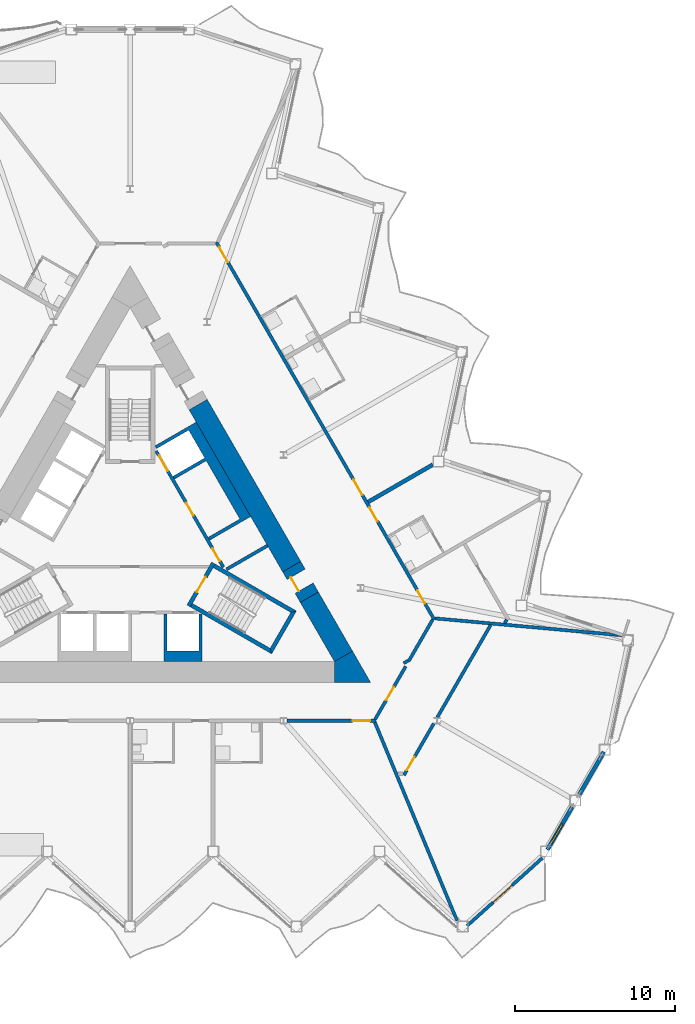
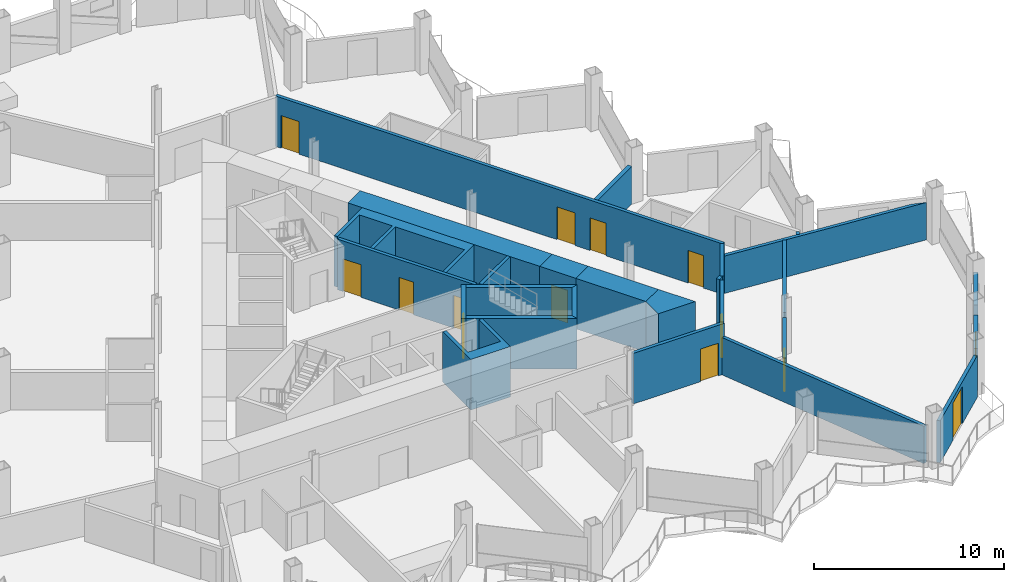
# One storey, part 13 of 23: 26 walls, 13 doors, 1 window, 14 openings.
"""IFC4 building model written with IfcOpenShell, lengths in metres."""

from ifc_helpers import new_model, si_unit, direction, frame, frame_2d, origin, place, context, subcontext, project, spatial, polyline, rectangle, outline, extrude, material, layer, layer_set, type_object, element, fill, save


model = new_model("IFC4")

# Units and contexts
model_context = context("Model", 3, precision=1e-05, world=origin(), true_north=direction((0.0, 1.0)))
body_context = subcontext(model_context, "Body", "Model", "MODEL_VIEW")
ifc_project = project(units=[si_unit("LENGTHUNIT", "METRE"), si_unit("AREAUNIT", "SQUARE_METRE"), si_unit("VOLUMEUNIT", "CUBIC_METRE"), si_unit("PLANEANGLEUNIT", "RADIAN"), si_unit("MASSUNIT", "GRAM", prefix="KILO")], contexts=[model_context])

# Site, building, storey
site_placement = place(None, origin())
site = spatial("IfcSite", under=ifc_project, at=site_placement, CompositionType="ELEMENT")
building_placement = place(site_placement, origin())
building = spatial("IfcBuilding", under=site, at=building_placement, Name="Cormorant Prow Tower", CompositionType="ELEMENT")
storey_placement = place(building_placement, frame((0.0, 0.0, 259.800048828125)))
storey = spatial("IfcBuildingStorey", under=building, at=storey_placement, Name="L58", CompositionType="ELEMENT", Elevation=259.800048828125)

# Walls
ifc_material_1 = material(Name="Concrete 8000 psi", Category="concrete")
ifc_layer_1 = layer(ifc_material_1, 1.300048828125)
ifc_layer_set_1 = layer_set([ifc_layer_1], Name="Concrete 8000 psi")
wall_type_1 = type_object("IfcWallType", Name="Core shear wall 1300", PredefinedType="SHEAR", material=ifc_layer_set_1)
wall_1_placement = place(storey_placement, frame((10.081298828125, -1.440673828125, 0.0), z_axis=(0.0, 0.0, 1.0), x_axis=(-0.500006109471, 0.866021876451, 0.0)))
element("IfcWall", 1, at=wall_1_placement, inside=storey, type_object=wall_type_1, Name="Core wall", PredefinedType="SHEAR", context=body_context, shape_type="SweptSolid", body=[
    extrude(rectangle(XDim=11.672119140625, YDim=1.300048828125, at=frame_2d((5.8359375, 0.0))), origin(), (0.0, 0.0, 1.0), 3.25),
])
wall_2_placement = place(storey_placement, frame((13.311279296875, -7.035400390625, 0.0), z_axis=(0.0, 0.0, 1.0), x_axis=(-0.500003555838, 0.866023350811, 0.0)))
element("IfcWall", 2, at=wall_2_placement, inside=storey, type_object=wall_type_1, Name="Core wall", PredefinedType="SHEAR", context=body_context, shape_type="SweptSolid", body=[
    extrude(rectangle(XDim=4.26025390625, YDim=1.300048828125, at=frame_2d((2.130126953125, 0.0))), origin(), (0.0, 0.0, 1.0), 3.25),
])
wall_3_placement = place(storey_placement, origin())
element("IfcWall", 3, at=wall_3_placement, inside=storey, type_object=wall_type_1, Name="Core wall corner", PredefinedType="SHEAR", context=body_context, shape_type="SweptSolid", body=[
    extrude(outline(polyline([(12.748291015625, -8.660400390625), (12.748291015625, -7.3603515625), (13.874267578125, -6.710205078125), (15.0, -8.660400390625), (12.748291015625, -8.660400390625)])), origin(), (0.0, 0.0, 1.0), 3.25),
])

# Wall, opening, door
wall_4_placement = place(storey_placement, frame((11.18115234375, -3.345947265625, 0.0), z_axis=(0.0, 0.0, 1.0), x_axis=(-0.499946605688, 0.86605622881, 0.0)))
wall_4 = element("IfcWall", 4, at=wall_4_placement, inside=storey, type_object=wall_type_1, Name="Core wall door panel", PredefinedType="SHEAR", context=body_context, shape_type="SweptSolid", body=[
    extrude(rectangle(XDim=2.199951171875, YDim=1.300048828125, at=frame_2d((1.10009765625, 0.0))), origin(), (0.0, 0.0, 1.0), 3.25),
])
opening_1_placement = place(wall_4_placement, frame((0.64990234375, 0.0, 0.0)))
opening_1 = element("IfcOpeningElement", 5, at=opening_1_placement, cuts=wall_4, Name="Opening L58-C15", PredefinedType="OPENING", context=body_context, shape_type="SweptSolid", body=[
    extrude(rectangle(XDim=1.0, YDim=2.10009765625, at=frame_2d((0.5, 1.050048828125))), frame((0.0, 0.659912109375, 0.0), z_axis=(0.0, -1.0, 0.0), x_axis=(1.0, 0.0, 0.0)), (0.0, 0.0, 1.0), 1.320068359375),
])
ifc_material_2 = material(Name="Painted steel", Category="steel")
door_type_1 = type_object("IfcDoorType", Name="Service door 1000x2100", OperationType="NOTDEFINED", PredefinedType="DOOR", material=ifc_material_2)
door_1_placement = place(opening_1_placement, origin())
door_1 = element("IfcDoor", 6, at=door_1_placement, inside=storey, type_object=door_type_1, Name="Core door, Telecom room", OperationType="SINGLE_SWING_LEFT", OverallHeight=2.10009765625, OverallWidth=1.0, PredefinedType="DOOR", context=body_context, shape_type="SweptSolid", body=[
    extrude(rectangle(XDim=1.0, YDim=2.10009765625, at=frame_2d((0.5, 1.050048828125))), frame((0.0, 0.40478515625, 0.0), z_axis=(0.0, -1.0, 0.0), x_axis=(1.0, 0.0, 0.0)), (0.0, 0.0, 1.0), 0.050048828125),
])
fill(opening_1, door_1)

# Wall, openings, doors
ifc_material_3 = material(Name="Gypsum board corridor wall")
ifc_layer_2 = layer(ifc_material_3, 0.199951171875)
ifc_layer_set_2 = layer_set([ifc_layer_2], Name="Gypsum board corridor wall")
wall_type_2 = type_object("IfcWallType", Name="Corridor wall 200", PredefinedType="PARTITIONING", material=ifc_layer_set_2)
wall_5_placement = place(storey_placement, frame((5.377197265625, 18.80712890625, 0.0), z_axis=(0.0, 0.0, 1.0), x_axis=(0.499999852422, -0.866025488988, 0.0)))
wall_5 = element("IfcWall", 7, at=wall_5_placement, inside=storey, type_object=wall_type_2, Name="Corridor wall", PredefinedType="PARTITIONING", context=body_context, shape_type="SweptSolid", body=[
    extrude(rectangle(XDim=27.19775390625, YDim=0.199951171875, at=frame_2d((13.598876953125, 0.0))), origin(), (0.0, 0.0, 1.0), 3.25),
])
opening_2_placement = place(wall_5_placement, frame((25.09619140625, 0.0, 0.0)))
opening_2 = element("IfcOpeningElement", 8, at=opening_2_placement, cuts=wall_5, Name="Opening L58-F10", PredefinedType="OPENING", context=body_context, shape_type="SweptSolid", body=[
    extrude(rectangle(XDim=0.949951171875, YDim=2.10009765625, at=frame_2d((0.47509765625, 1.050048828125))), frame((0.0, 0.10986328125, 0.0), z_axis=(0.0, -1.0, 0.0), x_axis=(1.0, 0.0, 0.0)), (0.0, 0.0, 1.0), 0.219970703125),
])
opening_3_placement = place(wall_5_placement, frame((19.121826171875, 0.0, 0.0)))
opening_3 = element("IfcOpeningElement", 9, at=opening_3_placement, cuts=wall_5, Name="Opening L58-F12", PredefinedType="OPENING", context=body_context, shape_type="SweptSolid", body=[
    extrude(rectangle(XDim=1.0, YDim=2.10009765625, at=frame_2d((0.5, 1.050048828125))), frame((0.0, 0.10986328125, 0.0), z_axis=(0.0, -1.0, 0.0), x_axis=(1.0, 0.0, 0.0)), (0.0, 0.0, 1.0), 0.219970703125),
])
opening_4_placement = place(wall_5_placement, frame((17.114501953125, 0.0, 0.0)))
opening_4 = element("IfcOpeningElement", 10, at=opening_4_placement, cuts=wall_5, Name="Opening L58-F14", PredefinedType="OPENING", context=body_context, shape_type="SweptSolid", body=[
    extrude(rectangle(XDim=1.10009765625, YDim=2.10009765625, at=frame_2d((0.550048828125, 1.050048828125))), frame((0.0, 0.10986328125, 0.0), z_axis=(0.0, -1.0, 0.0), x_axis=(1.0, 0.0, 0.0)), (0.0, 0.0, 1.0), 0.219970703125),
])
opening_5_placement = place(wall_5_placement, frame((0.350341796875, 0.0, 0.0)))
opening_5 = element("IfcOpeningElement", 11, at=opening_5_placement, cuts=wall_5, Name="Opening L58-F16", PredefinedType="OPENING", context=body_context, shape_type="SweptSolid", body=[
    extrude(rectangle(XDim=1.10009765625, YDim=2.10009765625, at=frame_2d((0.550048828125, 1.050048828125))), frame((0.0, 0.10986328125, 0.0), z_axis=(0.0, -1.0, 0.0), x_axis=(1.0, 0.0, 0.0)), (0.0, 0.0, 1.0), 0.219970703125),
])
ifc_material_4 = material(Name="Timber door leaf", Category="wood")
door_type_2 = type_object("IfcDoorType", Name="Flat or room entrance door 1000x2100", OperationType="NOTDEFINED", PredefinedType="DOOR", material=ifc_material_4)
door_2_placement = place(opening_3_placement, origin())
door_2 = element("IfcDoor", 12, at=door_2_placement, inside=storey, type_object=door_type_2, Name="Guest room door", OperationType="SINGLE_SWING_LEFT", OverallHeight=2.10009765625, OverallWidth=1.0, PredefinedType="DOOR", context=body_context, shape_type="SweptSolid", body=[
    extrude(rectangle(XDim=1.0, YDim=2.10009765625, at=frame_2d((0.5, 1.050048828125))), frame((0.0, 0.02490234375, 0.0), z_axis=(0.0, -1.0, 0.0), x_axis=(1.0, 0.0, 0.0)), (0.0, 0.0, 1.0), 0.050048828125),
])
fill(opening_3, door_2)
ifc_material_5 = material(Name="Timber door leaf", Category="wood")
door_type_3 = type_object("IfcDoorType", Name="Store door 950x2100", OperationType="NOTDEFINED", PredefinedType="DOOR", material=ifc_material_5)
door_3_placement = place(opening_2_placement, origin())
door_3 = element("IfcDoor", 13, at=door_3_placement, inside=storey, type_object=door_type_3, Name="Service store door", OperationType="SINGLE_SWING_LEFT", OverallHeight=2.10009765625, OverallWidth=0.949951171875, PredefinedType="DOOR", context=body_context, shape_type="SweptSolid", body=[
    extrude(rectangle(XDim=0.949951171875, YDim=2.10009765625, at=frame_2d((0.47509765625, 1.050048828125))), frame((0.0, 0.02490234375, 0.0), z_axis=(0.0, -1.0, 0.0), x_axis=(1.0, 0.0, 0.0)), (0.0, 0.0, 1.0), 0.050048828125),
])
fill(opening_2, door_3)
ifc_material_6 = material(Name="Timber door leaf", Category="wood")
door_type_4 = type_object("IfcDoorType", Name="Suite entrance door 1100x2100", OperationType="NOTDEFINED", PredefinedType="DOOR", material=ifc_material_6)
door_4_placement = place(opening_4_placement, origin())
door_4 = element("IfcDoor", 14, at=door_4_placement, inside=storey, type_object=door_type_4, Name="Junior suite door", OperationType="SINGLE_SWING_RIGHT", OverallHeight=2.10009765625, OverallWidth=1.10009765625, PredefinedType="DOOR", context=body_context, shape_type="SweptSolid", body=[
    extrude(rectangle(XDim=1.10009765625, YDim=2.10009765625, at=frame_2d((0.550048828125, 1.050048828125))), frame((0.0, 0.02490234375, 0.0), z_axis=(0.0, -1.0, 0.0), x_axis=(1.0, 0.0, 0.0)), (0.0, 0.0, 1.0), 0.050048828125),
])
fill(opening_4, door_4)
door_5_placement = place(opening_5_placement, origin())
door_5 = element("IfcDoor", 15, at=door_5_placement, inside=storey, type_object=door_type_4, Name="Executive suite bedroom door", OperationType="SINGLE_SWING_LEFT", OverallHeight=2.10009765625, OverallWidth=1.10009765625, PredefinedType="DOOR", context=body_context, shape_type="SweptSolid", body=[
    extrude(rectangle(XDim=1.10009765625, YDim=2.10009765625, at=frame_2d((0.550048828125, 1.050048828125))), frame((0.0, 0.02490234375, 0.0), z_axis=(0.0, -1.0, 0.0), x_axis=(1.0, 0.0, 0.0)), (0.0, 0.0, 1.0), 0.050048828125),
])
fill(opening_5, door_5)

# Wall, opening, door
wall_6_placement = place(storey_placement, frame((9.7880859375, -11.060302734375, 0.0), z_axis=(0.0, 0.0, 1.0), x_axis=(1.0, 0.0, 0.0)))
wall_6 = element("IfcWall", 16, at=wall_6_placement, inside=storey, type_object=wall_type_2, Name="Corridor wall", PredefinedType="PARTITIONING", context=body_context, shape_type="SweptSolid", body=[
    extrude(rectangle(XDim=5.542724609375, YDim=0.199951171875, at=frame_2d((2.771484375, 0.0))), origin(), (0.0, 0.0, 1.0), 3.25),
])
opening_6_placement = place(wall_6_placement, frame((4.091796875, 0.0, 0.0)))
opening_6 = element("IfcOpeningElement", 17, at=opening_6_placement, cuts=wall_6, Name="Opening L58-F06", PredefinedType="OPENING", context=body_context, shape_type="SweptSolid", body=[
    extrude(rectangle(XDim=1.10009765625, YDim=2.10009765625, at=frame_2d((0.550048828125, 1.050048828125))), frame((0.0, 0.10986328125, 0.0), z_axis=(0.0, -1.0, 0.0), x_axis=(1.0, 0.0, 0.0)), (0.0, 0.0, 1.0), 0.219970703125),
])
door_6_placement = place(opening_6_placement, origin())
door_6 = element("IfcDoor", 18, at=door_6_placement, inside=storey, type_object=door_type_4, Name="Executive suite bedroom door", OperationType="SINGLE_SWING_RIGHT", OverallHeight=2.10009765625, OverallWidth=1.10009765625, PredefinedType="DOOR", context=body_context, shape_type="SweptSolid", body=[
    extrude(rectangle(XDim=1.10009765625, YDim=2.10009765625, at=frame_2d((0.550048828125, 1.050048828125))), frame((0.0, 0.02490234375, 0.0), z_axis=(0.0, -1.0, 0.0), x_axis=(1.0, 0.0, 0.0)), (0.0, 0.0, 1.0), 0.050048828125),
])
fill(opening_6, door_6)

wall_7_placement = place(storey_placement, frame((15.281005859375, -10.9736328125, 0.0), z_axis=(0.0, 0.0, 1.0), x_axis=(0.499989446428, 0.866031496806, 0.0)))
wall_7 = element("IfcWall", 19, at=wall_7_placement, inside=storey, type_object=wall_type_2, Name="Corridor wall", PredefinedType="PARTITIONING", context=body_context, shape_type="SweptSolid", body=[
    extrude(rectangle(XDim=3.82568359375, YDim=0.199951171875, at=frame_2d((1.912841796875, 0.0))), origin(), (0.0, 0.0, 1.0), 3.25),
])
opening_7_placement = place(wall_7_placement, frame((1.38623046875, 0.0, 0.0)))
opening_7 = element("IfcOpeningElement", 20, at=opening_7_placement, cuts=wall_7, Name="Opening L58-F08", PredefinedType="OPENING", context=body_context, shape_type="SweptSolid", body=[
    extrude(rectangle(XDim=0.949951171875, YDim=2.10009765625, at=frame_2d((0.47509765625, 1.050048828125))), frame((0.0, 0.10986328125, 0.0), z_axis=(0.0, -1.0, 0.0), x_axis=(1.0, 0.0, 0.0)), (0.0, 0.0, 1.0), 0.219970703125),
])
door_7_placement = place(opening_7_placement, origin())
door_7 = element("IfcDoor", 21, at=door_7_placement, inside=storey, type_object=door_type_3, Name="Housekeeping room door", OperationType="SINGLE_SWING_RIGHT", OverallHeight=2.10009765625, OverallWidth=0.949951171875, PredefinedType="DOOR", context=body_context, shape_type="SweptSolid", body=[
    extrude(rectangle(XDim=0.949951171875, YDim=2.10009765625, at=frame_2d((0.47509765625, 1.050048828125))), frame((0.0, 0.02490234375, 0.0), z_axis=(0.0, -1.0, 0.0), x_axis=(1.0, 0.0, 0.0)), (0.0, 0.0, 1.0), 0.050048828125),
])
fill(opening_7, door_7)

# Walls
wall_8_placement = place(storey_placement, frame((17.375, -7.346923828125, 0.0), z_axis=(0.0, 0.0, 1.0), x_axis=(0.499952404951, 0.866052881055, 0.0)))
element("IfcWall", 22, at=wall_8_placement, inside=storey, type_object=wall_type_2, Name="Corridor wall", PredefinedType="PARTITIONING", context=body_context, shape_type="SweptSolid", body=[
    extrude(rectangle(XDim=3.002197265625, YDim=0.199951171875, at=frame_2d((1.5009765625, 0.0))), origin(), (0.0, 0.0, 1.0), 3.25),
])
wall_9_placement = place(storey_placement, frame((17.06982421875, -7.46533203125, 0.0), z_axis=(0.0, 0.0, 1.0), x_axis=(0.866054481515, 0.499949632511, 0.0)))
element("IfcWall", 23, at=wall_9_placement, inside=storey, type_object=wall_type_2, Name="Corridor wall", PredefinedType="PARTITIONING", context=body_context, shape_type="SweptSolid", body=[
    extrude(rectangle(XDim=0.31005859375, YDim=0.199951171875, at=frame_2d((0.155029296875, 0.0))), origin(), (0.0, 0.0, 1.0), 3.25),
])
ifc_material_7 = material(Name="Gypsum board demising wall")
ifc_layer_3 = layer(ifc_material_7, 0.199951171875)
ifc_layer_set_3 = layer_set([ifc_layer_3], Name="Gypsum board demising wall")
wall_type_3 = type_object("IfcWallType", Name="Demising wall 200", PredefinedType="PARTITIONING", material=ifc_layer_set_3)
wall_10_placement = place(storey_placement, frame((15.26904296875, -11.152587890625, 0.0), z_axis=(0.0, 0.0, 1.0), x_axis=(0.382692998932, -0.923875569851, 0.0)))
element("IfcWall", 24, at=wall_10_placement, inside=storey, type_object=wall_type_3, Name="Demising wall", PredefinedType="PARTITIONING", context=body_context, shape_type="SweptSolid", body=[
    extrude(rectangle(XDim=13.39697265625, YDim=0.199951171875, at=frame_2d((6.698486328125, 0.0))), origin(), (0.0, 0.0, 1.0), 2.404052734375),
])
wall_11_placement = place(storey_placement, origin())
element("IfcWall", 25, at=wall_11_placement, inside=storey, type_object=wall_type_3, Name="Demising wall", PredefinedType="PARTITIONING", context=body_context, shape_type="SweptSolid", body=[
    extrude(outline(polyline([(30.694091796875, -5.824462890625), (19.0166015625, -4.768798828125), (19.034423828125, -4.569580078125), (29.918212890625, -5.553466796875), (30.69580078125, -5.80615234375), (30.694091796875, -5.824462890625)])), origin(), (0.0, 0.0, 1.0), 2.404052734375),
])
wall_12_placement = place(storey_placement, frame((19.162353515625, -10.850830078125, 0.0), z_axis=(0.0, 0.0, 1.0), x_axis=(0.500008654708, 0.866020406929, 0.0)))
element("IfcWall", 26, at=wall_12_placement, inside=storey, type_object=wall_type_3, Name="Demising wall", PredefinedType="PARTITIONING", context=body_context, shape_type="SweptSolid", body=[
    extrude(rectangle(XDim=6.67041015625, YDim=0.199951171875, at=frame_2d((3.335205078125, 0.0))), origin(), (0.0, 0.0, 1.0), 2.404052734375),
])

# Wall, opening, door
wall_13_placement = place(storey_placement, frame((17.086181640625, -14.447021484375, 0.0), z_axis=(0.0, 0.0, 1.0), x_axis=(0.500004411858, 0.866022856582, 0.0)))
wall_13 = element("IfcWall", 27, at=wall_13_placement, inside=storey, type_object=wall_type_3, Name="Demising wall", PredefinedType="PARTITIONING", context=body_context, shape_type="SweptSolid", body=[
    extrude(rectangle(XDim=3.72265625, YDim=0.199951171875, at=frame_2d((1.861328125, 0.0))), origin(), (0.0, 0.0, 1.0), 2.404052734375),
])
opening_8_placement = place(wall_13_placement, frame((0.353271484375, 0.0, 0.0)))
opening_8 = element("IfcOpeningElement", 28, at=opening_8_placement, cuts=wall_13, Name="Opening L58-F09", PredefinedType="OPENING", context=body_context, shape_type="SweptSolid", body=[
    extrude(rectangle(XDim=0.949951171875, YDim=2.10009765625, at=frame_2d((0.47509765625, 1.050048828125))), frame((0.0, 0.10986328125, 0.0), z_axis=(0.0, -1.0, 0.0), x_axis=(1.0, 0.0, 0.0)), (0.0, 0.0, 1.0), 0.219970703125),
])
door_8_placement = place(opening_8_placement, origin())
door_8 = element("IfcDoor", 29, at=door_8_placement, inside=storey, type_object=door_type_3, Name="Linen store door", OperationType="SINGLE_SWING_LEFT", OverallHeight=2.10009765625, OverallWidth=0.949951171875, PredefinedType="DOOR", context=body_context, shape_type="SweptSolid", body=[
    extrude(rectangle(XDim=0.949951171875, YDim=2.10009765625, at=frame_2d((0.47509765625, 1.050048828125))), frame((0.0, 0.02490234375, 0.0), z_axis=(0.0, -1.0, 0.0), x_axis=(1.0, 0.0, 0.0)), (0.0, 0.0, 1.0), 0.050048828125),
])
fill(opening_8, door_8)

# Wall
wall_14_placement = place(storey_placement, frame((23.36572265625, -4.970458984375, 0.0), z_axis=(0.0, 0.0, 1.0), x_axis=(0.500104332946, 0.86596515875, 0.0)))
element("IfcWall", 30, at=wall_14_placement, inside=storey, type_object=wall_type_3, Name="Demising wall", PredefinedType="PARTITIONING", context=body_context, shape_type="SweptSolid", body=[
    extrude(rectangle(XDim=0.25830078125, YDim=0.199951171875, at=frame_2d((0.129150390625, 0.0))), origin(), (0.0, 0.0, 1.0), 2.404052734375),
])

# Wall, openings, doors
ifc_material_8 = material(Name="Concrete 5000 psi", Category="concrete")
ifc_layer_4 = layer(ifc_material_8, 0.199951171875)
ifc_layer_set_4 = layer_set([ifc_layer_4], Name="Concrete 5000 psi")
wall_type_4 = type_object("IfcWallType", Name="Lift lobby wall 200", PredefinedType="SOLIDWALL", material=ifc_layer_set_4)
wall_15_placement = place(storey_placement, frame((5.817138671875, -1.4755859375, 0.0), z_axis=(0.0, 0.0, 1.0), x_axis=(-0.500002616675, 0.866023893041, 0.0)))
wall_15 = element("IfcWall", 31, at=wall_15_placement, inside=storey, type_object=wall_type_4, Name="Lift lobby wall, ENE block", PredefinedType="SOLIDWALL", context=body_context, shape_type="SweptSolid", body=[
    extrude(rectangle(XDim=8.373046875, YDim=0.199951171875, at=frame_2d((4.1865234375, 0.0))), origin(), (0.0, 0.0, 1.0), 3.25),
])
opening_9_placement = place(wall_15_placement, frame((0.4365234375, 0.0, 0.0)))
opening_9 = element("IfcOpeningElement", 32, at=opening_9_placement, cuts=wall_15, Name="Opening L58-C05", PredefinedType="OPENING", context=body_context, shape_type="SweptSolid", body=[
    extrude(rectangle(XDim=0.89990234375, YDim=2.10009765625, at=frame_2d((0.449951171875, 1.050048828125))), frame((0.0, 0.10986328125, 0.0), z_axis=(0.0, -1.0, 0.0), x_axis=(1.0, 0.0, 0.0)), (0.0, 0.0, 1.0), 0.219970703125),
])
opening_10_placement = place(wall_15_placement, frame((3.736572265625, 0.0, 0.0)))
opening_10 = element("IfcOpeningElement", 33, at=opening_10_placement, cuts=wall_15, Name="Opening L58-C06", PredefinedType="OPENING", context=body_context, shape_type="SweptSolid", body=[
    extrude(rectangle(XDim=0.89990234375, YDim=2.10009765625, at=frame_2d((0.449951171875, 1.050048828125))), frame((0.0, 0.10986328125, 0.0), z_axis=(0.0, -1.0, 0.0), x_axis=(1.0, 0.0, 0.0)), (0.0, 0.0, 1.0), 0.219970703125),
])
opening_11_placement = place(wall_15_placement, frame((6.9365234375, 0.0, 0.0)))
opening_11 = element("IfcOpeningElement", 34, at=opening_11_placement, cuts=wall_15, Name="Opening L58-C07", PredefinedType="OPENING", context=body_context, shape_type="SweptSolid", body=[
    extrude(rectangle(XDim=1.10009765625, YDim=2.10009765625, at=frame_2d((0.550048828125, 1.050048828125))), frame((0.0, 0.10986328125, 0.0), z_axis=(0.0, -1.0, 0.0), x_axis=(1.0, 0.0, 0.0)), (0.0, 0.0, 1.0), 0.219970703125),
])
ifc_material_9 = material(Name="Painted steel", Category="steel")
door_type_5 = type_object("IfcDoorType", Name="Lift landing door 1100x2100", OperationType="SLIDING_TO_LEFT", PredefinedType="DOOR", material=ifc_material_9)
door_9_placement = place(opening_11_placement, origin())
door_9 = element("IfcDoor", 35, at=door_9_placement, inside=storey, type_object=door_type_5, Name="Landing door MR1", OperationType="SLIDING_TO_LEFT", OverallHeight=2.10009765625, OverallWidth=1.10009765625, PredefinedType="DOOR", context=body_context, shape_type="SweptSolid", body=[
    extrude(rectangle(XDim=1.10009765625, YDim=2.10009765625, at=frame_2d((0.550048828125, 1.050048828125))), frame((0.0, 0.02490234375, 0.0), z_axis=(0.0, -1.0, 0.0), x_axis=(1.0, 0.0, 0.0)), (0.0, 0.0, 1.0), 0.050048828125),
])
fill(opening_11, door_9)
ifc_material_10 = material(Name="Painted steel", Category="steel")
door_type_6 = type_object("IfcDoorType", Name="Service door 900x2100", OperationType="NOTDEFINED", PredefinedType="DOOR", material=ifc_material_10)
door_10_placement = place(opening_9_placement, origin())
door_10 = element("IfcDoor", 36, at=door_10_placement, inside=storey, type_object=door_type_6, Name="Service door, Pantry store", OperationType="SINGLE_SWING_LEFT", OverallHeight=2.10009765625, OverallWidth=0.89990234375, PredefinedType="DOOR", context=body_context, shape_type="SweptSolid", body=[
    extrude(rectangle(XDim=0.89990234375, YDim=2.10009765625, at=frame_2d((0.449951171875, 1.050048828125))), frame((0.0, 0.02490234375, 0.0), z_axis=(0.0, -1.0, 0.0), x_axis=(1.0, 0.0, 0.0)), (0.0, 0.0, 1.0), 0.050048828125),
])
fill(opening_9, door_10)
door_11_placement = place(opening_10_placement, origin())
door_11 = element("IfcDoor", 37, at=door_11_placement, inside=storey, type_object=door_type_6, Name="Service door, Telecom room", OperationType="SINGLE_SWING_LEFT", OverallHeight=2.10009765625, OverallWidth=0.89990234375, PredefinedType="DOOR", context=body_context, shape_type="SweptSolid", body=[
    extrude(rectangle(XDim=0.89990234375, YDim=2.10009765625, at=frame_2d((0.449951171875, 1.050048828125))), frame((0.0, 0.02490234375, 0.0), z_axis=(0.0, -1.0, 0.0), x_axis=(1.0, 0.0, 0.0)), (0.0, 0.0, 1.0), 0.050048828125),
])
fill(opening_10, door_11)

# Walls
ifc_material_11 = material(Name="Concrete 8000 psi", Category="concrete")
ifc_layer_5 = layer(ifc_material_11, 0.199951171875)
ifc_layer_set_5 = layer_set([ifc_layer_5], Name="Concrete 8000 psi")
wall_type_5 = type_object("IfcWallType", Name="Lift shaft wall 200", PredefinedType="SHEAR", material=ifc_layer_set_5)
wall_16_placement = place(storey_placement, origin())
element("IfcWall", 38, at=wall_16_placement, inside=storey, type_object=wall_type_5, Name="Lift shaft walls, S block", PredefinedType="SHEAR", context=body_context, shape_type="SweptSolid", body=[
    extrude(outline(polyline([(2.10009765625, -7.3603515625), (2.10009765625, -4.39990234375), (2.300048828125, -4.39990234375), (2.300048828125, -6.699951171875), (4.300048828125, -6.699951171875), (4.300048828125, -4.39990234375), (4.5, -4.39990234375), (4.5, -7.3603515625), (2.10009765625, -7.3603515625)])), origin(), (0.0, 0.0, 1.0), 3.25),
])
wall_17_placement = place(storey_placement, origin())
element("IfcWall", 39, at=wall_17_placement, inside=storey, type_object=wall_type_5, Name="Lift shaft walls, ENE block", PredefinedType="SHEAR", context=body_context, shape_type="SweptSolid", body=[
    extrude(outline(polyline([(8.524169921875, -0.043701171875), (8.624267578125, -0.217041015625), (8.230712890625, -0.444091796875), (6.060546875, -1.697021484375), (5.96044921875, -1.52392578125), (8.130859375, -0.27099609375), (8.524169921875, -0.043701171875)])), origin(), (0.0, 0.0, 1.0), 3.25),
])
wall_18_placement = place(storey_placement, origin())
element("IfcWall", 40, at=wall_18_placement, inside=storey, type_object=wall_type_5, Name="Lift shaft walls, ENE block", PredefinedType="SHEAR", context=body_context, shape_type="SweptSolid", body=[
    extrude(outline(polyline([(7.524169921875, 1.688232421875), (7.130859375, 1.461181640625), (4.96044921875, 0.2080078125), (4.860595703125, 0.38134765625), (6.852294921875, 1.53125), (4.75244140625, 5.168701171875), (2.760498046875, 4.018798828125), (2.660400390625, 4.19189453125), (4.65234375, 5.341796875), (3.65234375, 7.073974609375), (1.660400390625, 5.923828125), (1.560546875, 6.09716796875), (3.730712890625, 7.35009765625), (4.124267578125, 7.5771484375), (7.524169921875, 1.688232421875)])), origin(), (0.0, 0.0, 1.0), 3.25),
])
ifc_material_12 = material(Name="Concrete 8000 psi", Category="concrete")
ifc_layer_6 = layer(ifc_material_12, 0.25)
ifc_layer_set_6 = layer_set([ifc_layer_6], Name="Concrete 8000 psi")
wall_type_6 = type_object("IfcWallType", Name="Stair wall 250", PredefinedType="SHEAR", material=ifc_layer_set_6)
wall_19_placement = place(storey_placement, origin())
element("IfcWall", 41, at=wall_19_placement, inside=storey, type_object=wall_type_6, Name="Stair ST2 enclosure wall (flank)", PredefinedType="SHEAR", context=body_context, shape_type="SweptSolid", body=[
    extrude(outline(polyline([(3.76318359375, -3.95556640625), (8.82958984375, -6.880615234375), (8.738037109375, -6.5390625), (3.88818359375, -3.739013671875), (3.76318359375, -3.95556640625)])), origin(), (0.0, 0.0, 1.0), 3.25),
])
wall_20_placement = place(storey_placement, origin())
element("IfcWall", 42, at=wall_20_placement, inside=storey, type_object=wall_type_6, Name="Stair ST2 enclosure wall (end)", PredefinedType="SHEAR", context=body_context, shape_type="SweptSolid", body=[
    extrude(outline(polyline([(8.82958984375, -6.880615234375), (10.37353515625, -4.206298828125), (10.031982421875, -4.2978515625), (8.738037109375, -6.5390625), (8.82958984375, -6.880615234375)])), origin(), (0.0, 0.0, 1.0), 3.25),
])
wall_21_placement = place(storey_placement, origin())
element("IfcWall", 43, at=wall_21_placement, inside=storey, type_object=wall_type_6, Name="Stair ST2 enclosure wall (flank)", PredefinedType="SHEAR", context=body_context, shape_type="SweptSolid", body=[
    extrude(outline(polyline([(10.031982421875, -4.2978515625), (10.37353515625, -4.206298828125), (5.30712890625, -1.28125), (5.18212890625, -1.497802734375), (10.031982421875, -4.2978515625)])), origin(), (0.0, 0.0, 1.0), 3.25),
])

# Wall, opening, door
wall_22_placement = place(storey_placement, frame((3.655029296875, -3.89306640625, 0.0), z_axis=(0.0, 0.0, 1.0), x_axis=(0.499982516597, 0.866035497597, 0.0)))
wall_22 = element("IfcWall", 44, at=wall_22_placement, inside=storey, type_object=wall_type_6, Name="Stair ST2 door wall", PredefinedType="SHEAR", context=body_context, shape_type="SweptSolid", body=[
    extrude(rectangle(XDim=3.087890625, YDim=0.25, at=frame_2d((1.5439453125, 0.0))), origin(), (0.0, 0.0, 1.0), 3.25),
])
opening_12_placement = place(wall_22_placement, frame((0.993896484375, 0.0, 0.0)))
opening_12 = element("IfcOpeningElement", 45, at=opening_12_placement, cuts=wall_22, Name="Opening L58-C12", PredefinedType="OPENING", context=body_context, shape_type="SweptSolid", body=[
    extrude(rectangle(XDim=1.10009765625, YDim=2.10009765625, at=frame_2d((0.550048828125, 1.050048828125))), frame((0.0, 0.135009765625, 0.0), z_axis=(0.0, -1.0, 0.0), x_axis=(1.0, 0.0, 0.0)), (0.0, 0.0, 1.0), 0.27001953125),
])
ifc_material_13 = material(Name="Painted steel", Category="steel")
door_type_7 = type_object("IfcDoorType", Name="Stair door 1100x2100", OperationType="NOTDEFINED", PredefinedType="DOOR", material=ifc_material_13)
door_12_placement = place(opening_12_placement, origin())
door_12 = element("IfcDoor", 46, at=door_12_placement, inside=storey, type_object=door_type_7, Name="Stair ST2 door", OperationType="SINGLE_SWING_RIGHT", OverallHeight=2.10009765625, OverallWidth=1.10009765625, PredefinedType="DOOR", context=body_context, shape_type="SweptSolid", body=[
    extrude(rectangle(XDim=1.10009765625, YDim=2.10009765625, at=frame_2d((0.550048828125, 1.050048828125))), frame((0.0, 0.02490234375, 0.0), z_axis=(0.0, -1.0, 0.0), x_axis=(1.0, 0.0, 0.0)), (0.0, 0.0, 1.0), 0.050048828125),
])
fill(opening_12, door_12)

# Wall
ifc_material_14 = material(Name="Acoustic gypsum party wall")
ifc_layer_7 = layer(ifc_material_14, 0.25)
ifc_layer_set_7 = layer_set([ifc_layer_7], Name="Acoustic gypsum party wall")
wall_type_7 = type_object("IfcWallType", Name="Suite party wall 250", PredefinedType="PARTITIONING", material=ifc_layer_set_7)
wall_23_placement = place(storey_placement, frame((14.852783203125, 2.594482421875, 0.0), z_axis=(0.0, 0.0, 1.0), x_axis=(0.866021891294, 0.500006083763, 0.0)))
element("IfcWall", 47, at=wall_23_placement, inside=storey, type_object=wall_type_7, Name="Suite party wall", PredefinedType="PARTITIONING", context=body_context, shape_type="SweptSolid", body=[
    extrude(rectangle(XDim=4.64453125, YDim=0.25, at=frame_2d((2.322265625, 0.0))), origin(), (0.0, 0.0, 1.0), 2.404052734375),
])

# Wall, opening, window
ifc_material_15 = material(Name="Terracotta", Category="masonry")
ifc_layer_8 = layer(ifc_material_15, 0.25)
ifc_layer_set_8 = layer_set([ifc_layer_8], Name="Terracotta")
wall_type_8 = type_object("IfcWallType", Name="Terracotta bay wall 250", PredefinedType="SOLIDWALL", material=ifc_layer_set_8)
wall_24_placement = place(storey_placement, frame((26.039794921875, -19.09716796875, 0.0), z_axis=(0.0, 0.0, 1.0), x_axis=(0.499976998774, 0.866038683141, 0.0)))
wall_24 = element("IfcWall", 48, at=wall_24_placement, inside=storey, type_object=wall_type_8, Name="Terracotta bay wall ESE00", PredefinedType="SOLIDWALL", context=body_context, shape_type="SweptSolid", body=[
    extrude(rectangle(XDim=3.072021484375, YDim=0.25, at=frame_2d((1.5361328125, 0.0))), origin(), (0.0, 0.0, 1.0), 2.700927734375),
])
opening_13_placement = place(wall_24_placement, frame((0.449951171875, 0.0, 1.800048828125)))
opening_13 = element("IfcOpeningElement", 49, at=opening_13_placement, cuts=wall_24, Name="Opening WN4", PredefinedType="OPENING", context=body_context, shape_type="SweptSolid", body=[
    extrude(rectangle(XDim=1.39990234375, YDim=0.699951171875, at=frame_2d((0.699951171875, 0.35009765625))), frame((0.0, 0.135009765625, 0.0), z_axis=(0.0, -1.0, 0.0), x_axis=(1.0, 0.0, 0.0)), (0.0, 0.0, 1.0), 0.27001953125),
])
ifc_material_16 = material(Name="Aluminium 6063-T6", Category="aluminium")
window_type = type_object("IfcWindowType", Name="Corner bay window 1400x700", PartitioningType="SINGLE_PANEL", PredefinedType="WINDOW", material=ifc_material_16)
window_placement = place(opening_13_placement, origin())
window = element("IfcWindow", 50, at=window_placement, inside=storey, type_object=window_type, Name="Corner bay window ESE00", OverallHeight=0.699951171875, OverallWidth=1.39990234375, PartitioningType="SINGLE_PANEL", PredefinedType="WINDOW", context=body_context, shape_type="SweptSolid", body=[
    extrude(rectangle(XDim=1.39990234375, YDim=0.699951171875, at=frame_2d((0.699951171875, 0.35009765625))), frame((0.0, 0.030029296875, 0.0), z_axis=(0.0, -1.0, 0.0), x_axis=(1.0, 0.0, 0.0)), (0.0, 0.0, 1.0), 0.06005859375),
])
fill(opening_13, window)

# Wall
wall_25_placement = place(storey_placement, frame((28.03759765625, -15.63671875, 0.0), z_axis=(0.0, 0.0, 1.0), x_axis=(0.500023511883, 0.866011828767, 0.0)))
element("IfcWall", 51, at=wall_25_placement, inside=storey, type_object=wall_type_8, Name="Terracotta bay wall ESE01", PredefinedType="SOLIDWALL", context=body_context, shape_type="SweptSolid", body=[
    extrude(rectangle(XDim=3.041748046875, YDim=0.25, at=frame_2d((1.52099609375, 0.0))), origin(), (0.0, 0.0, 1.0), 2.700927734375),
])

# Wall, opening, door
ifc_material_17 = material(Name="Terracotta", Category="masonry")
ifc_layer_9 = layer(ifc_material_17, 0.199951171875)
ifc_layer_set_9 = layer_set([ifc_layer_9], Name="Terracotta")
wall_type_9 = type_object("IfcWallType", Name="Terracotta jamb wall 200", PredefinedType="SOLIDWALL", material=ifc_layer_set_9)
wall_26_placement = place(storey_placement, frame((21.0234375, -23.84765625, 0.0), z_axis=(0.0, 0.0, 1.0), x_axis=(0.74314024121, 0.669135697668, 0.0)))
wall_26 = element("IfcWall", 52, at=wall_26_placement, inside=storey, type_object=wall_type_9, Name="Terracotta jamb wall S09", PredefinedType="SOLIDWALL", context=body_context, shape_type="SweptSolid", body=[
    extrude(rectangle(XDim=6.31103515625, YDim=0.199951171875, at=frame_2d((3.155517578125, 0.0))), origin(), (0.0, 0.0, 1.0), 2.700927734375),
])
opening_14_placement = place(wall_26_placement, frame((2.183837890625, 0.0, 0.0)))
opening_14 = element("IfcOpeningElement", 53, at=opening_14_placement, cuts=wall_26, Name="Opening ED58.05", PredefinedType="OPENING", context=body_context, shape_type="SweptSolid", body=[
    extrude(rectangle(XDim=1.60009765625, YDim=2.39990234375, at=frame_2d((0.800048828125, 1.199951171875))), frame((0.0, 0.10986328125, 0.0), z_axis=(0.0, -1.0, 0.0), x_axis=(1.0, 0.0, 0.0)), (0.0, 0.0, 1.0), 0.219970703125),
])
ifc_material_18 = material(Name="Aluminium 6063-T6", Category="aluminium")
door_type_8 = type_object("IfcDoorType", Name="Balcony door 1600x2400", OperationType="DOUBLE_DOOR_SINGLE_SWING", PredefinedType="DOOR", material=ifc_material_18)
door_13_placement = place(opening_14_placement, origin())
door_13 = element("IfcDoor", 54, at=door_13_placement, inside=storey, type_object=door_type_8, Name="Balcony door S09 ED58.05", OperationType="DOUBLE_DOOR_SINGLE_SWING", OverallHeight=2.39990234375, OverallWidth=1.60009765625, PredefinedType="DOOR", context=body_context, shape_type="SweptSolid", body=[
    extrude(rectangle(XDim=1.60009765625, YDim=2.39990234375, at=frame_2d((0.800048828125, 1.199951171875))), frame((0.0, 0.02490234375, 0.0), z_axis=(0.0, -1.0, 0.0), x_axis=(1.0, 0.0, 0.0)), (0.0, 0.0, 1.0), 0.050048828125),
])
fill(opening_14, door_13)

save(model, "model.ifc")
